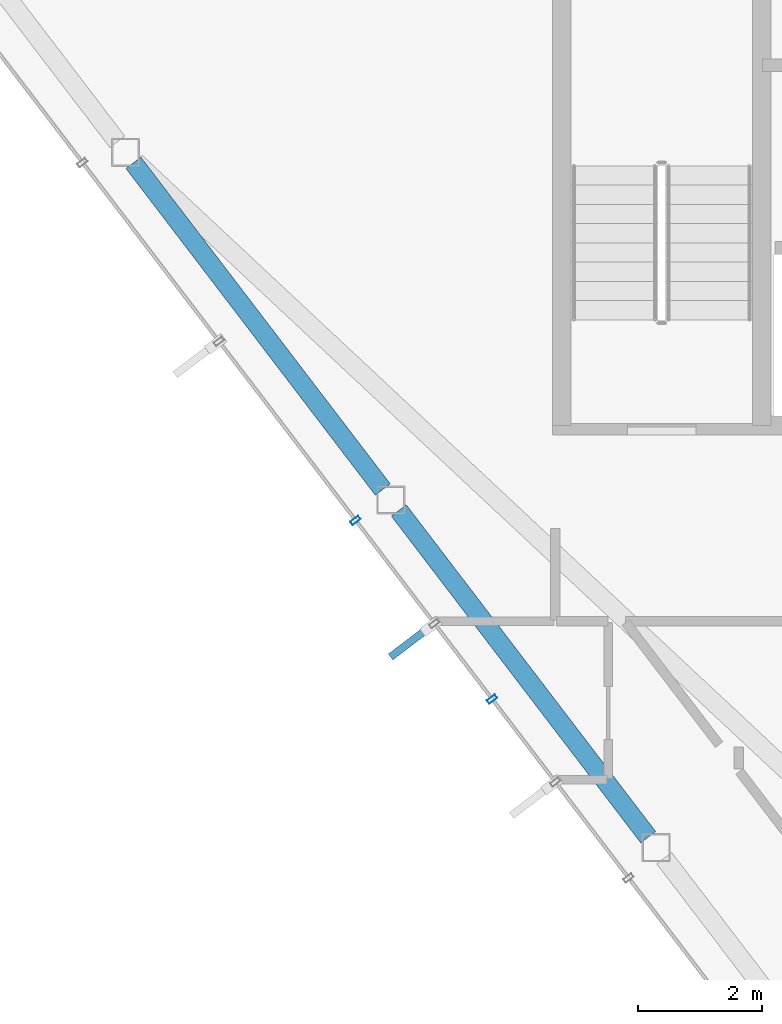
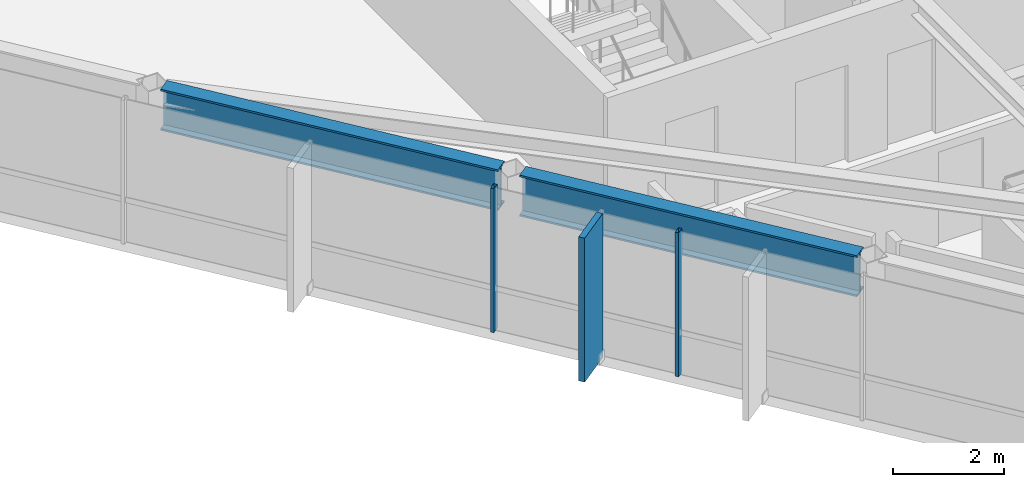
# One storey, part 3 of 22: 3 members, 2 beams, 1 element without a shape of its own.
"""IFC4 building model written with IfcOpenShell, lengths in metres."""

from ifc_helpers import new_model, si_unit, direction, frame, origin, origin_2d, place, context, subcontext, project, spatial, rectangle, hollow_rectangle, i_section, extrude, material, layer, layer_set, material_profile, profile_set, type_object, element, aggregate, save


model = new_model("IFC4")

# Units and contexts
model_context = context("Model", 3, precision=1e-05, world=origin(), true_north=direction((0.0, 1.0)))
body_context = subcontext(model_context, "Body", "Model", "MODEL_VIEW")
ifc_project = project(units=[si_unit("LENGTHUNIT", "METRE"), si_unit("AREAUNIT", "SQUARE_METRE"), si_unit("VOLUMEUNIT", "CUBIC_METRE"), si_unit("PLANEANGLEUNIT", "RADIAN"), si_unit("MASSUNIT", "GRAM", prefix="KILO")], contexts=[model_context])

# Site, building, storey
site_placement = place(None, origin())
site = spatial("IfcSite", under=ifc_project, at=site_placement, CompositionType="ELEMENT")
building_placement = place(site_placement, origin())
building = spatial("IfcBuilding", under=site, at=building_placement, Name="Zarrinselat Tower", CompositionType="ELEMENT")
storey_placement = place(building_placement, frame((0.0, 0.0, 289.0)))
storey = spatial("IfcBuildingStorey", under=building, at=storey_placement, Name="L74", CompositionType="ELEMENT", Elevation=289.0)

# Beams
ifc_material_1 = material(Name="Steel S460M", Category="steel")
ifc_material_profile_1 = material_profile(ifc_material_1, i_section(OverallWidth=0.302001953125, OverallDepth=0.909912109375, WebThickness=0.02099609375, FlangeThickness=0.0400390625, at=origin_2d()), Name="HEM 900")
ifc_profile_set_1 = profile_set([ifc_material_profile_1], Name="Steel S460M")
beam_type = type_object("IfcBeamType", Name="BM-HEM900", PredefinedType="BEAM", material=ifc_profile_set_1)
for number, where, z_axis, x_axis, name in (
    (1, (21.7607421875, 37.52685546875, 2.72509765625), (0.606819456319, -0.794839699205, 0.0), (0.794839699205, 0.606819456319, 0.0), "L74 Perimeter Spandrel Girder SP07"),
    (2, (26.03125, 31.932861328125, 2.72509765625), (0.606819456319, -0.794839699205, 0.0), (0.794839699205, 0.606819456319, 0.0), "L74 Perimeter Spandrel Girder SP08"),
):
    element("IfcBeam", number, at=place(storey_placement, frame(where, z_axis=z_axis, x_axis=x_axis)), inside=storey, type_object=beam_type, Name=name, PredefinedType="BEAM", context=body_context, shape_type="SweptSolid", body=[
        extrude(i_section(OverallWidth=0.302001953125, OverallDepth=0.909912109375, WebThickness=0.02099609375, FlangeThickness=0.0400390625, at=origin_2d()), origin(), (0.0, 0.0, 1.0), 6.61181640625),
    ])

# Curtain wall, members
ifc_material_2 = material(Name="Extruded Aluminium Alloy EN AW-6063 T6", Category="aluminium")
ifc_layer = layer(ifc_material_2, 0.169921875)
ifc_layer_set = layer_set([ifc_layer], Name="Extruded Aluminium Alloy EN AW-6063 T6")
curtain_wall_type = type_object("IfcCurtainWallType", Name="CWS-RES", PredefinedType="NOTDEFINED", material=ifc_layer_set)
curtain_wall_placement = place(storey_placement, origin())
curtain_wall = element("IfcCurtainWall", 3, at=curtain_wall_placement, inside=storey, type_object=curtain_wall_type, Name="L74 Unitised Curtain Wall CW-L74-E03", PredefinedType="NOTDEFINED")
ifc_material_3 = material(Name="Extruded Aluminium Alloy EN AW-6063 T6", Category="aluminium")
ifc_material_profile_2 = material_profile(ifc_material_3, hollow_rectangle(XDim=0.070068359375, YDim=0.159912109375, WallThickness=0.00390625, at=origin_2d()), Name="RHS 160x70x4")
ifc_profile_set_2 = profile_set([ifc_material_profile_2], Name="Extruded Aluminium Alloy EN AW-6063 T6")
member_type_1 = type_object("IfcMemberType", Name="MEM-CW-MUL2", PredefinedType="MULLION", material=ifc_profile_set_2)
member_1_placement = place(storey_placement, frame((25.33349609375, 31.77587890625, 0.0), z_axis=(0.0, 0.0, 1.0), x_axis=(0.606801746242, -0.794853219631, 0.0)))
member_1 = element("IfcMember", 4, at=member_1_placement, type_object=member_type_1, Name="CW-L74-E03 Mullion 4", PredefinedType="MULLION", context=body_context, shape_type="SweptSolid", body=[
    extrude(hollow_rectangle(XDim=0.070068359375, YDim=0.159912109375, WallThickness=0.00390625, at=origin_2d()), origin(), (0.0, 0.0, 1.0), 3.179931640625),
])
member_2_placement = place(storey_placement, frame((27.530517578125, 28.89794921875, 0.0), z_axis=(0.0, 0.0, 1.0), x_axis=(0.606801746242, -0.794853219631, 0.0)))
member_2 = element("IfcMember", 5, at=member_2_placement, type_object=member_type_1, Name="CW-L74-E03 Mullion 6", PredefinedType="MULLION", context=body_context, shape_type="SweptSolid", body=[
    extrude(hollow_rectangle(XDim=0.070068359375, YDim=0.159912109375, WallThickness=0.00390625, at=origin_2d()), origin(), (0.0, 0.0, 1.0), 3.179931640625),
])
ifc_material_4 = material(Name="Honed Cream Travertine Stone", Category="masonry")
ifc_material_profile_3 = material_profile(ifc_material_4, rectangle(XDim=0.1201171875, YDim=0.85009765625, at=origin_2d()), Name="FIN 850x120")
ifc_profile_set_3 = profile_set([ifc_material_profile_3], Name="Honed Cream Travertine Stone")
member_type_2 = type_object("IfcMemberType", Name="MEM-STONE-FIN", PredefinedType="USERDEFINED", material=ifc_profile_set_3)
member_3_placement = place(storey_placement, frame((26.23681640625, 29.83447265625, 0.0), z_axis=(0.0, 0.0, 1.0), x_axis=(-0.606801746242, 0.794853219631, 0.0)))
member_3 = element("IfcMember", 6, at=member_3_placement, type_object=member_type_2, Name="L74 Stone Shading Fin CW-L74-E03-05", ObjectType="FIN", PredefinedType="USERDEFINED", context=body_context, shape_type="SweptSolid", body=[
    extrude(rectangle(XDim=0.1201171875, YDim=0.85009765625, at=origin_2d()), origin(), (0.0, 0.0, 1.0), 3.179931640625),
])
aggregate(curtain_wall, [member_1, member_3, member_2])

save(model, "model.ifc")
